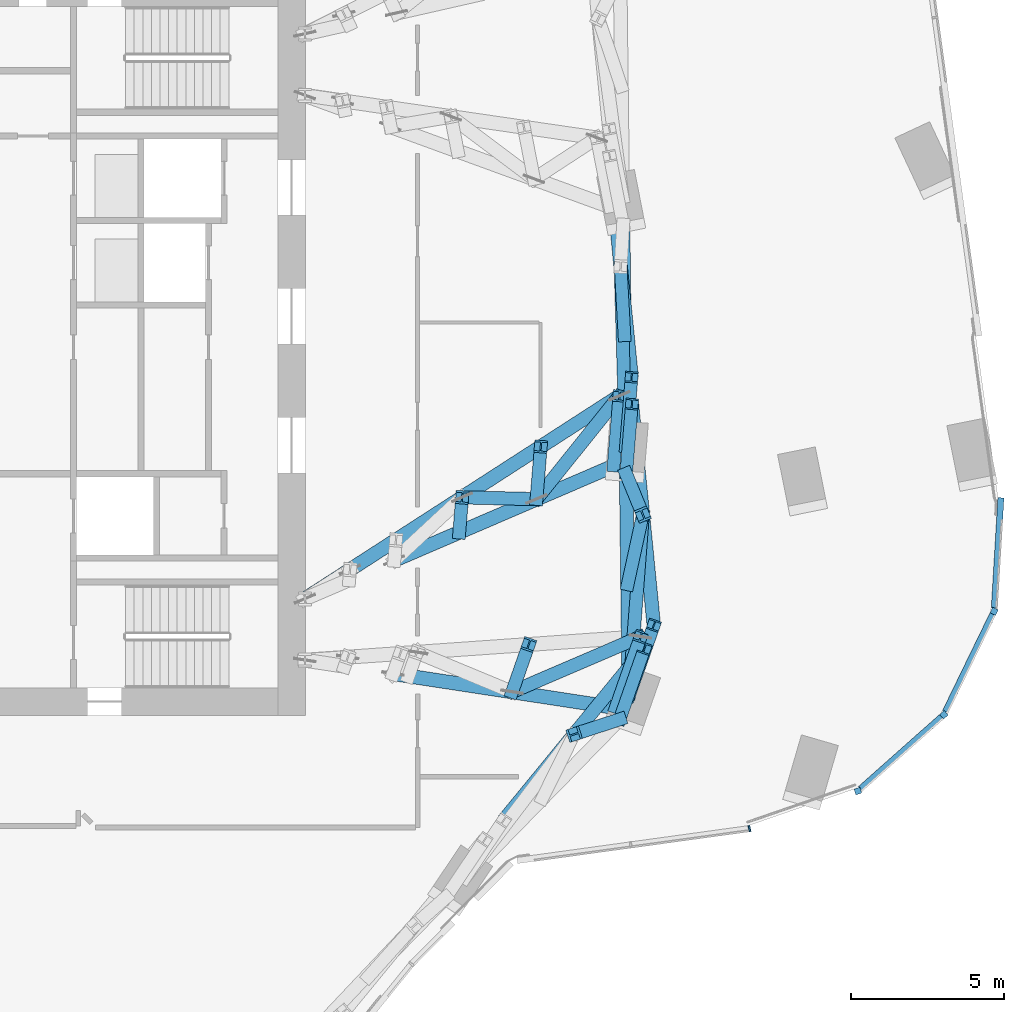
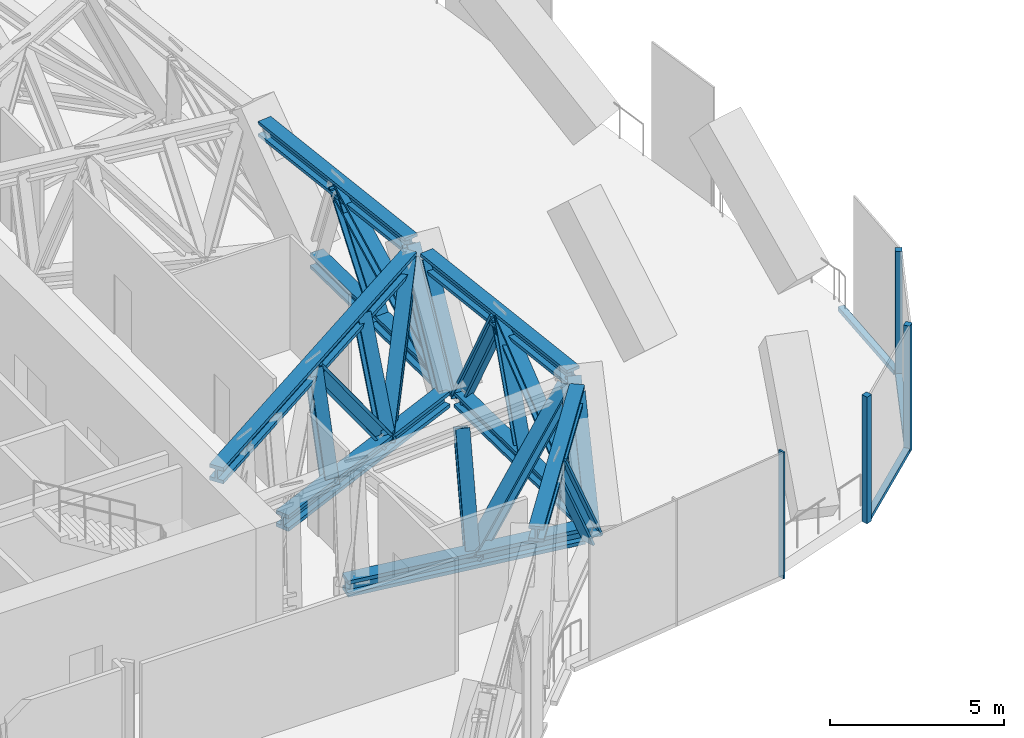
# One storey, part 8 of 27: 33 members, 4 elements without a shape of their own.
"""IFC4 building model written with IfcOpenShell, lengths in metres."""

from ifc_helpers import new_model, si_unit, direction, frame, origin, origin_2d, place, context, subcontext, project, spatial, rectangle, i_section, extrude, material, material_profile, profile_set, type_object, element, aggregate, save


model = new_model("IFC4")

# Units and contexts
model_context = context("Model", 3, precision=1e-05, world=origin(), true_north=direction((0.0, 1.0)))
body_context = subcontext(model_context, "Body", "Model", "MODEL_VIEW")
ifc_project = project(units=[si_unit("LENGTHUNIT", "METRE"), si_unit("AREAUNIT", "SQUARE_METRE"), si_unit("VOLUMEUNIT", "CUBIC_METRE"), si_unit("PLANEANGLEUNIT", "RADIAN"), si_unit("MASSUNIT", "GRAM", prefix="KILO")], contexts=[model_context])

# Site, building, storey
site_placement = place(None, origin())
site = spatial("IfcSite", under=ifc_project, at=site_placement, CompositionType="ELEMENT")
building_placement = place(site_placement, origin())
building = spatial("IfcBuilding", under=site, at=building_placement, Name="Orlundy Tower", CompositionType="ELEMENT")
storey_placement = place(building_placement, frame((0.0, 0.0, 206.10009765625)))
storey = spatial("IfcBuildingStorey", under=building, at=storey_placement, Name="L54", CompositionType="ELEMENT", Elevation=206.10009765625)

# Members
ifc_material_1 = material(Name="Steel ASTM A992 Gr 50", Category="steel")
ifc_material_profile_1 = material_profile(ifc_material_1, i_section(OverallWidth=0.4423828125, OverallDepth=0.531494140625, WebThickness=0.06591796875, FlangeThickness=0.105712890625, at=origin_2d()), Name="W14X605")
ifc_profile_set_1 = profile_set([ifc_material_profile_1], Name="Steel ASTM A992 Gr 50")
member_type_1 = type_object("IfcMemberType", Name="BELT TRUSS chord W14X605", PredefinedType="CHORD", material=ifc_profile_set_1)
member_1_placement = place(storey_placement, frame((25.453369140625, -15.41259765625, 3.715087890625), z_axis=(0.634025151433, 0.773312425447, 0.0), x_axis=(-0.773312425447, 0.634025151433, 0.0)))
element("IfcMember", 1, at=member_1_placement, inside=storey, type_object=member_type_1, Name="Belt truss top chord BT-10", PredefinedType="CHORD", context=body_context, shape_type="SweptSolid", body=[
    extrude(i_section(OverallWidth=0.4423828125, OverallDepth=0.531494140625, WebThickness=0.06591796875, FlangeThickness=0.105712890625, at=origin_2d()), origin(), (0.0, 0.0, 1.0), 7.24072265625),
])
member_2_placement = place(storey_placement, frame((29.531982421875, -11.37744140625, 0.28466796875), z_axis=(-0.012170373018, 0.999925938268, 0.0), x_axis=(-0.999925938268, -0.012170373018, 0.0)))
element("IfcMember", 2, at=member_2_placement, inside=storey, type_object=member_type_1, Name="Belt truss bottom chord BT-11", PredefinedType="CHORD", context=body_context, shape_type="SweptSolid", body=[
    extrude(i_section(OverallWidth=0.4423828125, OverallDepth=0.531494140625, WebThickness=0.06591796875, FlangeThickness=0.105712890625, at=origin_2d()), origin(), (0.0, 0.0, 1.0), 7.24169921875),
])
member_3_placement = place(storey_placement, frame((30.344482421875, -9.0625, 3.715087890625), z_axis=(-0.09851558325, 0.995135508289, 0.0), x_axis=(-0.995135508289, -0.09851558325, 0.0)))
element("IfcMember", 3, at=member_3_placement, inside=storey, type_object=member_type_1, Name="Belt truss top chord BT-11", PredefinedType="CHORD", context=body_context, shape_type="SweptSolid", body=[
    extrude(i_section(OverallWidth=0.4423828125, OverallDepth=0.531494140625, WebThickness=0.06591796875, FlangeThickness=0.105712890625, at=origin_2d()), origin(), (0.0, 0.0, 1.0), 7.2412109375),
])
member_4_placement = place(storey_placement, frame((29.43310546875, -3.26123046875, 0.28466796875), z_axis=(-0.012172014314, 0.99992591829, 0.0), x_axis=(-0.99992591829, -0.012172014314, 0.0)))
element("IfcMember", 4, at=member_4_placement, inside=storey, type_object=member_type_1, Name="Belt truss bottom chord BT-12", PredefinedType="CHORD", context=body_context, shape_type="SweptSolid", body=[
    extrude(i_section(OverallWidth=0.4423828125, OverallDepth=0.531494140625, WebThickness=0.06591796875, FlangeThickness=0.105712890625, at=origin_2d()), origin(), (0.0, 0.0, 1.0), 7.24072265625),
])
member_5_placement = place(storey_placement, frame((29.620361328125, -0.981689453125, 3.715087890625), z_axis=(-0.098415418039, 0.995145419269, 0.0), x_axis=(-0.995145419269, -0.098415418039, 0.0)))
element("IfcMember", 5, at=member_5_placement, inside=storey, type_object=member_type_1, Name="Belt truss top chord BT-12", PredefinedType="CHORD", context=body_context, shape_type="SweptSolid", body=[
    extrude(i_section(OverallWidth=0.4423828125, OverallDepth=0.531494140625, WebThickness=0.06591796875, FlangeThickness=0.105712890625, at=origin_2d()), origin(), (0.0, 0.0, 1.0), 7.2412109375),
])
ifc_material_2 = material(Name="Steel ASTM A992 Gr 50", Category="steel")
ifc_material_profile_2 = material_profile(ifc_material_2, i_section(OverallWidth=0.42431640625, OverallDepth=0.47412109375, WebThickness=0.0478515625, FlangeThickness=0.0771484375, at=origin_2d()), Name="W14X426")
ifc_profile_set_2 = profile_set([ifc_material_profile_2], Name="Steel ASTM A992 Gr 50")
member_type_2 = type_object("IfcMemberType", Name="BELT TRUSS diagonal W14X426", PredefinedType="BRACE", material=ifc_profile_set_2)
member_6_placement = place(storey_placement, frame((27.748779296875, -12.61279296875, 3.715087890625), z_axis=(0.393551980242, 0.128657486874, -0.910254958745), x_axis=(-0.310730701318, 0.950497991191, 0.0)))
element("IfcMember", 6, at=member_6_placement, inside=storey, type_object=member_type_2, Name="Belt truss diagonal BT-10-1", PredefinedType="BRACE", context=body_context, shape_type="SweptSolid", body=[
    extrude(i_section(OverallWidth=0.42431640625, OverallDepth=0.47412109375, WebThickness=0.0478515625, FlangeThickness=0.0771484375, at=origin_2d()), origin(), (0.0, 0.0, 1.0), 3.7685546875),
])
member_7_placement = place(storey_placement, frame((29.531982421875, -11.37744140625, 0.28466796875), z_axis=(0.066488288196, 0.86324376319, 0.500389361245), x_axis=(-0.997046980138, 0.076794006267, 0.0)))
element("IfcMember", 7, at=member_7_placement, inside=storey, type_object=member_type_2, Name="Belt truss diagonal BT-11-0", PredefinedType="BRACE", context=body_context, shape_type="SweptSolid", body=[
    extrude(i_section(OverallWidth=0.42431640625, OverallDepth=0.47412109375, WebThickness=0.0478515625, FlangeThickness=0.0771484375, at=origin_2d()), origin(), (0.0, 0.0, 1.0), 6.85546875),
])
member_8_placement = place(storey_placement, frame((29.98779296875, -5.45947265625, 3.715087890625), z_axis=(-0.146347616366, 0.356016194213, -0.922948993521), x_axis=(-0.924904117685, -0.380200438045, 0.0)))
element("IfcMember", 8, at=member_8_placement, inside=storey, type_object=member_type_2, Name="Belt truss diagonal BT-11-1", PredefinedType="BRACE", context=body_context, shape_type="SweptSolid", body=[
    extrude(i_section(OverallWidth=0.42431640625, OverallDepth=0.47412109375, WebThickness=0.0478515625, FlangeThickness=0.0771484375, at=origin_2d()), origin(), (0.0, 0.0, 1.0), 3.716796875),
])
member_9_placement = place(storey_placement, frame((29.43310546875, -3.26123046875, 0.28466796875), z_axis=(-0.024837594913, 0.863581312297, 0.503597469146), x_axis=(-0.99958665444, -0.028749265471, 0.0)))
element("IfcMember", 9, at=member_9_placement, inside=storey, type_object=member_type_2, Name="Belt truss diagonal BT-12-0", PredefinedType="BRACE", context=body_context, shape_type="SweptSolid", body=[
    extrude(i_section(OverallWidth=0.42431640625, OverallDepth=0.47412109375, WebThickness=0.0478515625, FlangeThickness=0.0771484375, at=origin_2d()), origin(), (0.0, 0.0, 1.0), 6.811767578125),
])
ifc_material_3 = material(Name="Steel ASTM A992 Gr 50", Category="steel")
ifc_material_profile_3 = material_profile(ifc_material_3, i_section(OverallWidth=0.412109375, OverallDepth=0.434814453125, WebThickness=0.035888671875, FlangeThickness=0.057373046875, at=origin_2d()), Name="W14X311")
ifc_profile_set_3 = profile_set([ifc_material_profile_3], Name="Steel ASTM A992 Gr 50")
member_type_3 = type_object("IfcMemberType", Name="BELT TRUSS post W14X311", PredefinedType="POST", material=ifc_profile_set_3)
member_10_placement = place(storey_placement, frame((29.23193359375, -12.1279296875, 0.28466796875), z_axis=(0.192602302954, 0.548861567269, 0.81342198942), x_axis=(-0.9435896174, 0.331117251038, 0.0)))
element("IfcMember", 10, at=member_10_placement, inside=storey, type_object=member_type_3, Name="Belt truss post BT-10-2", PredefinedType="POST", context=body_context, shape_type="SweptSolid", body=[
    extrude(i_section(OverallWidth=0.412109375, OverallDepth=0.434814453125, WebThickness=0.035888671875, FlangeThickness=0.057373046875, at=origin_2d()), origin(), (0.0, 0.0, 1.0), 4.21728515625),
])
member_11_placement = place(storey_placement, frame((29.531982421875, -11.37744140625, 0.28466796875), z_axis=(0.192651923806, 0.548895895893, 0.813387073739), x_axis=(-0.943569434669, 0.331174760449, 0.0)))
element("IfcMember", 11, at=member_11_placement, inside=storey, type_object=member_type_3, Name="Belt truss post BT-11-0", PredefinedType="POST", context=body_context, shape_type="SweptSolid", body=[
    extrude(i_section(OverallWidth=0.412109375, OverallDepth=0.434814453125, WebThickness=0.035888671875, FlangeThickness=0.057373046875, at=origin_2d()), origin(), (0.0, 0.0, 1.0), 4.217529296875),
])
member_12_placement = place(storey_placement, frame((29.488037109375, -7.7568359375, 0.28466796875), z_axis=(0.120168987919, 0.552413373873, 0.824862945409), x_axis=(-0.977147301693, 0.212563286564, 0.0)))
element("IfcMember", 12, at=member_12_placement, inside=storey, type_object=member_type_3, Name="Belt truss post BT-11-1", PredefinedType="POST", context=body_context, shape_type="SweptSolid", body=[
    extrude(i_section(OverallWidth=0.412109375, OverallDepth=0.434814453125, WebThickness=0.035888671875, FlangeThickness=0.057373046875, at=origin_2d()), origin(), (0.0, 0.0, 1.0), 4.15869140625),
])
for number, where, z_axis, x_axis, name in (
    (13, (29.44384765625, -4.13623046875, 0.28466796875), (0.045415861643, 0.55292479273, 0.831992531875), (-0.996643688502, 0.081861823633, 0.0), "Belt truss post BT-11-2"),
    (14, (29.43310546875, -3.26123046875, 0.28466796875), (0.04541734855, 0.552883681115, 0.832019771163), (-0.996642973153, 0.081870532335, 0.0), "Belt truss post BT-12-0"),
):
    element("IfcMember", number, at=place(storey_placement, frame(where, z_axis=z_axis, x_axis=x_axis)), inside=storey, type_object=member_type_3, Name=name, PredefinedType="POST", context=body_context, shape_type="SweptSolid", body=[
        extrude(i_section(OverallWidth=0.412109375, OverallDepth=0.434814453125, WebThickness=0.035888671875, FlangeThickness=0.057373046875, at=origin_2d()), origin(), (0.0, 0.0, 1.0), 4.123046875),
    ])
member_13_placement = place(storey_placement, frame((29.38916015625, 0.35888671875, 0.28466796875), z_axis=(-0.030463963936, 0.550311021038, 0.834403815323), x_axis=(-0.998471274029, -0.05527309416, 0.0)))
element("IfcMember", 15, at=member_13_placement, inside=storey, type_object=member_type_3, Name="Belt truss post BT-12-1", PredefinedType="POST", context=body_context, shape_type="SweptSolid", body=[
    extrude(i_section(OverallWidth=0.412109375, OverallDepth=0.434814453125, WebThickness=0.035888671875, FlangeThickness=0.057373046875, at=origin_2d()), origin(), (0.0, 0.0, 1.0), 4.111328125),
])

# Curtain wall, member
ifc_material_4 = material(Name="Aluminium bronze anodised", Category="aluminium")
curtain_wall_type = type_object("IfcCurtainWallType", Name="CW4 wall", PredefinedType="NOTDEFINED", material=ifc_material_4)
curtain_wall_1_placement = place(storey_placement, origin())
curtain_wall_1 = element("IfcCurtainWall", 16, at=curtain_wall_1_placement, inside=storey, type_object=curtain_wall_type, Name="CW4 run 026", PredefinedType="NOTDEFINED")
ifc_material_5 = material(Name="Aluminium bronze anodised", Category="aluminium")
ifc_material_profile_4 = material_profile(ifc_material_5, rectangle(XDim=0.199951171875, YDim=0.199951171875, at=origin_2d()), Name="CW4 corner post 200x200")
ifc_profile_set_4 = profile_set([ifc_material_profile_4], Name="Aluminium bronze anodised")
member_type_4 = type_object("IfcMemberType", Name="CW4 corner post 200x200", PredefinedType="MULLION", material=ifc_profile_set_4)
member_14_placement = place(storey_placement, frame((41.4306640625, -8.60791015625, -0.4501953125), z_axis=(0.0, 0.0, 1.0), x_axis=(0.899441505342, -0.437041163358, 0.0)))
member_14 = element("IfcMember", 17, at=member_14_placement, type_object=member_type_4, Name="CW4 mullion 38", PredefinedType="MULLION", context=body_context, shape_type="SweptSolid", body=[
    extrude(rectangle(XDim=0.199951171875, YDim=0.199951171875, at=origin_2d()), origin(), (0.0, 0.0, 1.0), 4.4501953125),
])

# Curtain wall, members
curtain_wall_2_placement = place(storey_placement, origin())
curtain_wall_2 = element("IfcCurtainWall", 18, at=curtain_wall_2_placement, inside=storey, type_object=curtain_wall_type, Name="CW4 run 027", PredefinedType="NOTDEFINED")
member_15_placement = place(storey_placement, frame((39.793212890625, -11.9775390625, -0.4501953125), z_axis=(0.0, 0.0, 1.0), x_axis=(0.663760711342, -0.747944996694, 0.0)))
member_15 = element("IfcMember", 19, at=member_15_placement, type_object=member_type_4, Name="CW4 mullion 39", PredefinedType="MULLION", context=body_context, shape_type="SweptSolid", body=[
    extrude(rectangle(XDim=0.199951171875, YDim=0.199951171875, at=origin_2d()), origin(), (0.0, 0.0, 1.0), 4.4501953125),
])
member_16_placement = place(storey_placement, frame((36.991455078125, -14.464111328125, -0.4501953125), z_axis=(0.0, 0.0, 1.0), x_axis=(0.32697157273, -0.945034174317, 0.0)))
member_16 = element("IfcMember", 20, at=member_16_placement, type_object=member_type_4, Name="CW4 mullion 40", PredefinedType="MULLION", context=body_context, shape_type="SweptSolid", body=[
    extrude(rectangle(XDim=0.199951171875, YDim=0.199951171875, at=origin_2d()), origin(), (0.0, 0.0, 1.0), 4.4501953125),
])

# Curtain wall, member
curtain_wall_3_placement = place(storey_placement, origin())
curtain_wall_3 = element("IfcCurtainWall", 21, at=curtain_wall_3_placement, inside=storey, type_object=curtain_wall_type, Name="CW4 run 029", PredefinedType="NOTDEFINED")
ifc_material_6 = material(Name="Aluminium bronze anodised", Category="aluminium")
ifc_material_profile_5 = material_profile(ifc_material_6, rectangle(XDim=0.199951171875, YDim=0.06005859375, at=origin_2d()), Name="CW4 mullion 60x200")
ifc_profile_set_5 = profile_set([ifc_material_profile_5], Name="Aluminium bronze anodised")
member_type_5 = type_object("IfcMemberType", Name="CW4 mullion 60x200", PredefinedType="MULLION", material=ifc_profile_set_5)
member_17_placement = place(storey_placement, frame((33.46044921875, -15.685791015625, -0.4501953125), z_axis=(0.0, 0.0, 1.0), x_axis=(0.232753873533, -0.972535672536, 0.0)))
member_17 = element("IfcMember", 22, at=member_17_placement, type_object=member_type_5, Name="CW4 mullion 41", PredefinedType="MULLION", context=body_context, shape_type="SweptSolid", body=[
    extrude(rectangle(XDim=0.199951171875, YDim=0.06005859375, at=origin_2d()), origin(), (0.0, 0.0, 1.0), 4.4501953125),
])
aggregate(curtain_wall_3, [member_17])

curtain_wall_4_placement = place(storey_placement, origin())
curtain_wall_4 = element("IfcCurtainWall", 23, at=curtain_wall_4_placement, inside=storey, type_object=curtain_wall_type, Name="CW4 run 025", PredefinedType="NOTDEFINED")
ifc_material_7 = material(Name="Aluminium bronze anodised", Category="aluminium")
ifc_material_profile_6 = material_profile(ifc_material_7, rectangle(XDim=0.199951171875, YDim=0.14990234375, at=origin_2d()), Name="CW4 transom 200x150")
ifc_profile_set_6 = profile_set([ifc_material_profile_6], Name="Aluminium bronze anodised")
member_type_6 = type_object("IfcMemberType", Name="CW4 transom 200x150", PredefinedType="USERDEFINED", material=ifc_profile_set_6)
member_18_placement = place(storey_placement, frame((41.651611328125, -4.908203125, -0.375), z_axis=(-0.059644829259, -0.99821966237, 0.0), x_axis=(0.99821966237, -0.059644829259, 0.0)))
member_18 = element("IfcMember", 24, at=member_18_placement, type_object=member_type_6, Name="CW4 transom", ObjectType="TRANSOM", PredefinedType="USERDEFINED", context=body_context, shape_type="SweptSolid", body=[
    extrude(rectangle(XDim=0.199951171875, YDim=0.14990234375, at=origin_2d()), origin(), (0.0, 0.0, 1.0), 3.597900390625),
])
aggregate(curtain_wall_4, [member_18])

# Member
member_19_placement = place(storey_placement, frame((41.386962890625, -8.69775390625, -0.375), z_axis=(-0.437055495496, -0.899434541174, 0.0), x_axis=(0.899434541174, -0.437055495496, 0.0)))
member_19 = element("IfcMember", 25, at=member_19_placement, type_object=member_type_6, Name="CW4 transom", ObjectType="TRANSOM", PredefinedType="USERDEFINED", context=body_context, shape_type="SweptSolid", body=[
    extrude(rectangle(XDim=0.199951171875, YDim=0.14990234375, at=origin_2d()), origin(), (0.0, 0.0, 1.0), 3.5380859375),
])

aggregate(curtain_wall_1, [member_14, member_19])

member_20_placement = place(storey_placement, frame((39.718505859375, -12.0439453125, -0.375), z_axis=(-0.747949742831, -0.663755363217, 0.0), x_axis=(0.663755363217, -0.747949742831, 0.0)))
member_20 = element("IfcMember", 26, at=member_20_placement, type_object=member_type_6, Name="CW4 transom", ObjectType="TRANSOM", PredefinedType="USERDEFINED", context=body_context, shape_type="SweptSolid", body=[
    extrude(rectangle(XDim=0.199951171875, YDim=0.14990234375, at=origin_2d()), origin(), (0.0, 0.0, 1.0), 3.53759765625),
])

aggregate(curtain_wall_2, [member_15, member_16, member_20])

# Members
ifc_material_8 = material(Name="Steel ASTM A992 Gr 50", Category="steel")
ifc_material_profile_7 = material_profile(ifc_material_8, i_section(OverallWidth=0.454345703125, OverallDepth=0.569580078125, WebThickness=0.077880859375, FlangeThickness=0.124755859375, at=origin_2d()), Name="W14X730")
ifc_profile_set_7 = profile_set([ifc_material_profile_7], Name="Steel ASTM A992 Gr 50")
member_type_7 = type_object("IfcMemberType", Name="OUTRIGGER TRUSS chord W14X730", PredefinedType="CHORD", material=ifc_profile_set_7)
member_21_placement = place(storey_placement, frame((21.855712890625, -10.639892578125, 0.28466796875), z_axis=(0.988502185485, -0.151206578199, 0.0), x_axis=(0.151206578199, 0.988502185485, 0.0)))
element("IfcMember", 27, at=member_21_placement, inside=storey, type_object=member_type_7, Name="Outrigger truss bottom chord OR-E-C-H072", PredefinedType="CHORD", context=body_context, shape_type="SweptSolid", body=[
    extrude(i_section(OverallWidth=0.454345703125, OverallDepth=0.569580078125, WebThickness=0.077880859375, FlangeThickness=0.124755859375, at=origin_2d()), origin(), (0.0, 0.0, 1.0), 7.33349609375),
])
member_22_placement = place(storey_placement, frame((21.891845703125, -6.94677734375, 0.28466796875), z_axis=(0.918531879867, 0.395346918121, 0.0), x_axis=(-0.395346918121, 0.918531879867, 0.0)))
element("IfcMember", 28, at=member_22_placement, inside=storey, type_object=member_type_7, Name="Outrigger truss bottom chord OR-E-C-H062", PredefinedType="CHORD", context=body_context, shape_type="SweptSolid", body=[
    extrude(i_section(OverallWidth=0.454345703125, OverallDepth=0.569580078125, WebThickness=0.077880859375, FlangeThickness=0.124755859375, at=origin_2d()), origin(), (0.0, 0.0, 1.0), 7.778564453125),
])
member_23_placement = place(storey_placement, frame((18.97998046875, -8.199951171875, 3.715087890625), z_axis=(0.840336083063, 0.542065740942, 0.0), x_axis=(-0.542065740942, 0.840336083063, 0.0)))
element("IfcMember", 29, at=member_23_placement, inside=storey, type_object=member_type_7, Name="Outrigger truss top chord OR-E-C-H06", PredefinedType="CHORD", context=body_context, shape_type="SweptSolid", body=[
    extrude(i_section(OverallWidth=0.454345703125, OverallDepth=0.569580078125, WebThickness=0.077880859375, FlangeThickness=0.124755859375, at=origin_2d()), origin(), (0.0, 0.0, 1.0), 12.190185546875),
])
ifc_material_9 = material(Name="Steel ASTM A992 Gr 50", Category="steel")
ifc_material_profile_8 = material_profile(ifc_material_9, i_section(OverallWidth=0.43212890625, OverallDepth=0.497802734375, WebThickness=0.0556640625, FlangeThickness=0.0888671875, at=origin_2d()), Name="W14X500")
ifc_profile_set_8 = profile_set([ifc_material_profile_8], Name="Steel ASTM A992 Gr 50")
member_type_8 = type_object("IfcMemberType", Name="OUTRIGGER TRUSS diagonal W14X500", PredefinedType="BRACE", material=ifc_profile_set_8)
member_24_placement = place(storey_placement, frame((25.72998046875, -11.232421875, 0.28466796875), z_axis=(0.734108834966, 0.315308989459, 0.6013854501), x_axis=(-0.394649757307, 0.918831632595, 0.0)))
element("IfcMember", 30, at=member_24_placement, inside=storey, type_object=member_type_8, Name="Outrigger truss diagonal OR-E-C-H07-4", PredefinedType="BRACE", context=body_context, shape_type="SweptSolid", body=[
    extrude(i_section(OverallWidth=0.43212890625, OverallDepth=0.497802734375, WebThickness=0.0556640625, FlangeThickness=0.0888671875, at=origin_2d()), origin(), (0.0, 0.0, 1.0), 5.7041015625),
])
member_25_placement = place(storey_placement, frame((24.101806640625, -4.89599609375, 3.715087890625), z_axis=(0.576498314691, -0.013780141259, -0.816982130077), x_axis=(0.023896351247, 0.999714441427, 0.0)))
element("IfcMember", 31, at=member_25_placement, inside=storey, type_object=member_type_8, Name="Outrigger truss diagonal OR-E-C-H06-3", PredefinedType="BRACE", context=body_context, shape_type="SweptSolid", body=[
    extrude(i_section(OverallWidth=0.43212890625, OverallDepth=0.497802734375, WebThickness=0.0556640625, FlangeThickness=0.0888671875, at=origin_2d()), origin(), (0.0, 0.0, 1.0), 4.198974609375),
])
member_26_placement = place(storey_placement, frame((26.5224609375, -4.953857421875, 0.28466796875), z_axis=(0.490217507425, 0.610058298892, 0.622507564105), x_axis=(-0.779513870694, 0.626384965812, 0.0)))
element("IfcMember", 32, at=member_26_placement, inside=storey, type_object=member_type_8, Name="Outrigger truss diagonal OR-E-C-H06-4", PredefinedType="BRACE", context=body_context, shape_type="SweptSolid", body=[
    extrude(i_section(OverallWidth=0.43212890625, OverallDepth=0.497802734375, WebThickness=0.0556640625, FlangeThickness=0.0888671875, at=origin_2d()), origin(), (0.0, 0.0, 1.0), 5.5107421875),
])
ifc_material_10 = material(Name="Steel ASTM A992 Gr 50", Category="steel")
ifc_material_profile_9 = material_profile(ifc_material_10, i_section(OverallWidth=0.41845703125, OverallDepth=0.455078125, WebThickness=0.0419921875, FlangeThickness=0.067626953125, at=origin_2d()), Name="W14X370")
ifc_profile_set_9 = profile_set([ifc_material_profile_9], Name="Steel ASTM A992 Gr 50")
member_type_9 = type_object("IfcMemberType", Name="OUTRIGGER TRUSS post W14X370", PredefinedType="POST", material=ifc_profile_set_9)
member_27_placement = place(storey_placement, frame((25.72998046875, -11.232421875, 0.28466796875), z_axis=(0.142488628108, 0.406073317525, 0.902663531807), x_axis=(-0.943595072868, 0.331101704101, 0.0)))
element("IfcMember", 33, at=member_27_placement, inside=storey, type_object=member_type_9, Name="Outrigger truss post OR-E-C-H07-4", PredefinedType="POST", context=body_context, shape_type="SweptSolid", body=[
    extrude(i_section(OverallWidth=0.41845703125, OverallDepth=0.455078125, WebThickness=0.0419921875, FlangeThickness=0.067626953125, at=origin_2d()), origin(), (0.0, 0.0, 1.0), 3.80029296875),
])
member_28_placement = place(storey_placement, frame((29.10498046875, -11.748779296875, 0.28466796875), z_axis=(0.192651923806, 0.548895895893, 0.813387073739), x_axis=(-0.943569434669, 0.331174760449, 0.0)))
element("IfcMember", 34, at=member_28_placement, inside=storey, type_object=member_type_9, Name="Outrigger truss post OR-E-C-H07-5", PredefinedType="POST", context=body_context, shape_type="SweptSolid", body=[
    extrude(i_section(OverallWidth=0.41845703125, OverallDepth=0.455078125, WebThickness=0.0419921875, FlangeThickness=0.067626953125, at=origin_2d()), origin(), (0.0, 0.0, 1.0), 4.217529296875),
])
member_29_placement = place(storey_placement, frame((24.00830078125, -6.035888671875, 0.28466796875), z_axis=(0.025858502748, 0.315230677101, 0.948662720913), x_axis=(-0.996652390719, 0.081755807592, 0.0)))
element("IfcMember", 35, at=member_29_placement, inside=storey, type_object=member_type_9, Name="Outrigger truss post OR-E-C-H06-3", PredefinedType="POST", context=body_context, shape_type="SweptSolid", body=[
    extrude(i_section(OverallWidth=0.41845703125, OverallDepth=0.455078125, WebThickness=0.0419921875, FlangeThickness=0.067626953125, at=origin_2d()), origin(), (0.0, 0.0, 1.0), 3.615966796875),
])
member_30_placement = place(storey_placement, frame((26.5224609375, -4.953857421875, 0.28466796875), z_axis=(0.036599916716, 0.445818811614, 0.894374660479), x_axis=(-0.99664706684, 0.081820682957, 0.0)))
element("IfcMember", 36, at=member_30_placement, inside=storey, type_object=member_type_9, Name="Outrigger truss post OR-E-C-H06-4", PredefinedType="POST", context=body_context, shape_type="SweptSolid", body=[
    extrude(i_section(OverallWidth=0.41845703125, OverallDepth=0.455078125, WebThickness=0.0419921875, FlangeThickness=0.067626953125, at=origin_2d()), origin(), (0.0, 0.0, 1.0), 3.83544921875),
])
member_31_placement = place(storey_placement, frame((29.03662109375, -3.87158203125, 0.28466796875), z_axis=(0.04541734855, 0.552883681115, 0.832019771163), x_axis=(-0.996642973153, 0.081870532335, 0.0)))
element("IfcMember", 37, at=member_31_placement, inside=storey, type_object=member_type_9, Name="Outrigger truss post OR-E-C-H06-5", PredefinedType="POST", context=body_context, shape_type="SweptSolid", body=[
    extrude(i_section(OverallWidth=0.41845703125, OverallDepth=0.455078125, WebThickness=0.0419921875, FlangeThickness=0.067626953125, at=origin_2d()), origin(), (0.0, 0.0, 1.0), 4.123046875),
])

save(model, "model.ifc")
